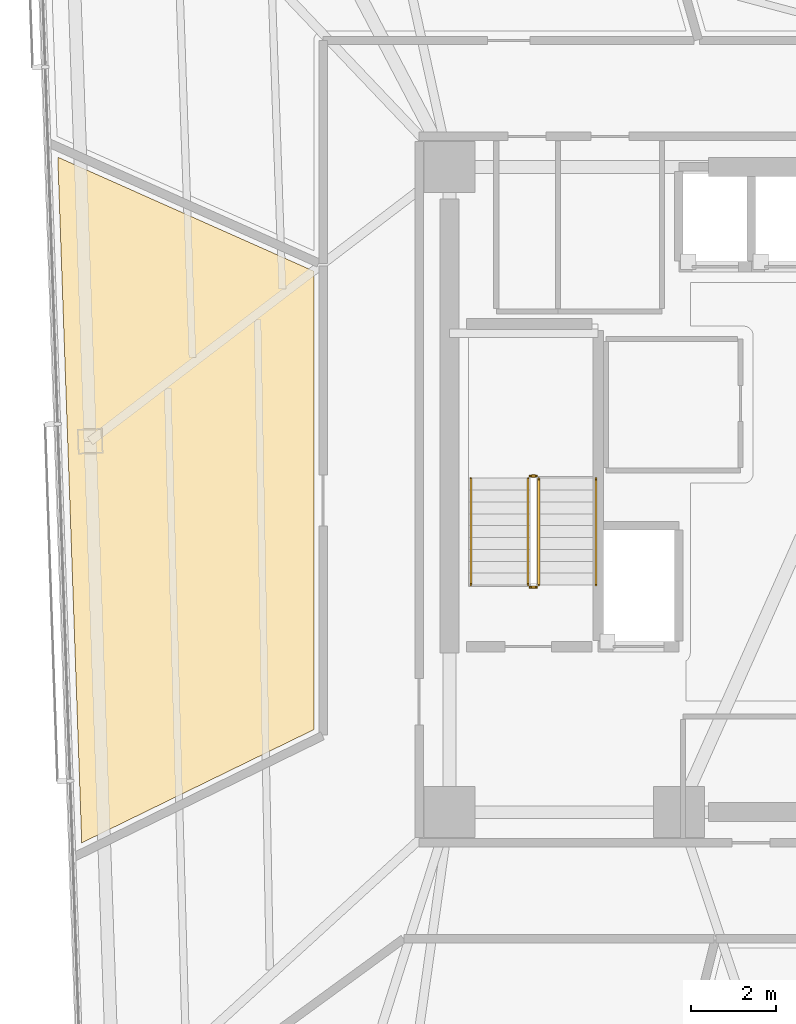
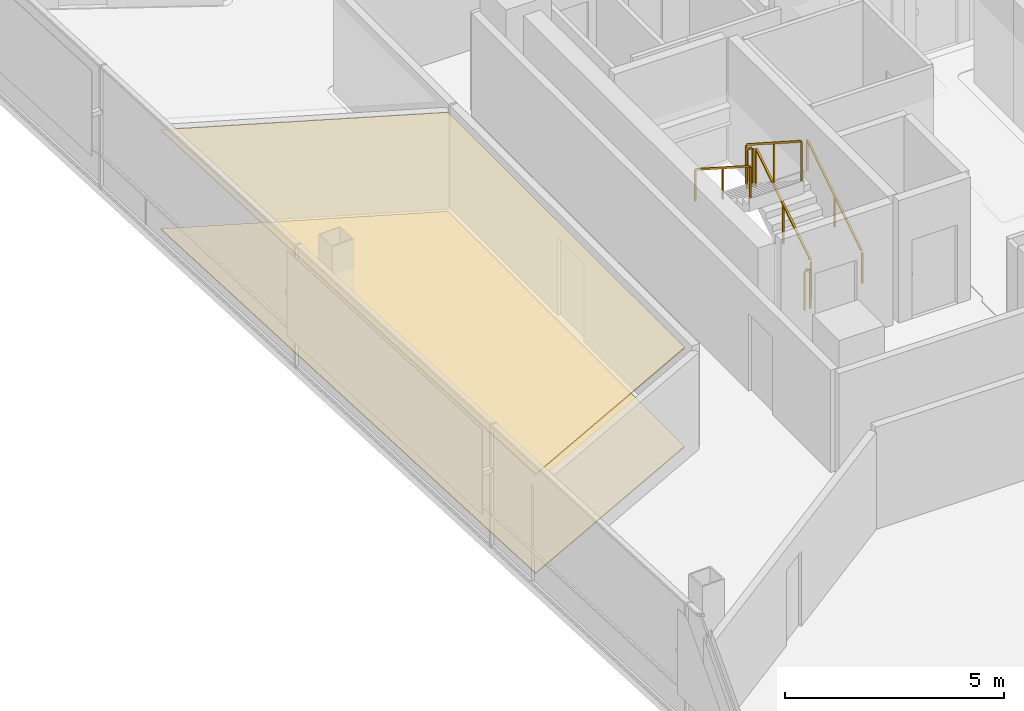
# One storey, part 18 of 21: 6 railings, 2 coverings.
"""IFC4 building model written with IfcOpenShell, lengths in metres."""

import ifcopenshell
import ifcopenshell.guid

model = None  # the IFC model being written
_history = None  # IfcOwnerHistory: only IFC2X3 demands one
_inside = {}  # id of a spatial element -> (the spatial element, [elements in it])
_under = {}  # id of a project, library or spatial element -> (it, [spatial elements below it])
_declared = {}  # id of a project -> (the project, [libraries it declares])
_typed = {}  # id of a type object -> (the type object, [elements of that type])
_made_of = {}  # id of a material, layer set ... -> (it, [elements and type objects made of it])


def new_model(schema):
    """Start an empty IFC model of exactly this schema.

    Asked for "IFC4X3", IfcOpenShell would pick the latest addendum, in which some entities
    have other attributes; the version numbers below select the first issue.
    IFC2X3 requires an IfcOwnerHistory on every rooted entity: one is made here for all.
    """
    global model, _history
    if schema == "IFC4X3":
        model = ifcopenshell.file(schema_version=(4, 3, 0, 0))
    else:
        model = ifcopenshell.file(schema=schema)
    _inside.clear()
    _under.clear()
    _declared.clear()
    _typed.clear()
    _made_of.clear()
    _history = None
    if model.schema == "IFC2X3":
        org = make("IfcOrganization", Name="unknown")
        user = make(
            "IfcPersonAndOrganization",
            ThePerson=make("IfcPerson", FamilyName="unknown"),
            TheOrganization=org,
        )
        app = make(
            "IfcApplication",
            ApplicationDeveloper=org,
            Version="unknown",
            ApplicationFullName="unknown",
            ApplicationIdentifier="unknown",
        )
        _history = make(
            "IfcOwnerHistory",
            OwningUser=user,
            OwningApplication=app,
            ChangeAction="ADDED",
            CreationDate=0,
        )
    return model


def make(cls, **values):
    """One entity of the class cls with the attributes given. An attribute that is None is left unset."""
    return model.create_entity(
        cls, **{name: value for name, value in values.items() if value is not None}
    )


def rooted(cls, **values):
    """An entity with a GlobalId (a new one), such as an element, a storey or a relation."""
    return make(cls, GlobalId=ifcopenshell.guid.new(), OwnerHistory=_history, **values)


def si_unit(unit_type, name, prefix=None):
    """IfcSIUnit, for example si_unit("LENGTHUNIT", "METRE", prefix="MILLI")."""
    return make("IfcSIUnit", UnitType=unit_type, Prefix=prefix, Name=name)


def assignment(units):
    """IfcUnitAssignment: the units of a project."""
    return None if units is None else make("IfcUnitAssignment", Units=units)


def point(xyz):
    """IfcCartesianPoint."""
    return None if xyz is None else make("IfcCartesianPoint", Coordinates=xyz)


def direction(xyz):
    """IfcDirection."""
    return None if xyz is None else make("IfcDirection", DirectionRatios=xyz)


def frame(location, z_axis=None, x_axis=None):
    """IfcAxis2Placement3D, a coordinate frame: its origin and axes. An axis left out is left unset."""
    return make(
        "IfcAxis2Placement3D",
        Location=point(location),
        Axis=direction(z_axis),
        RefDirection=direction(x_axis),
    )


def frame_2d(location, x_axis=None):
    """IfcAxis2Placement2D, a coordinate frame in the plane: its origin and x axis."""
    return make(
        "IfcAxis2Placement2D", Location=point(location), RefDirection=direction(x_axis)
    )


def origin():
    """The frame at (0, 0, 0) with its axes left unset."""
    return frame((0.0, 0.0, 0.0))


def origin_2d():
    """The frame at (0, 0) in the plane with its x axis left unset."""
    return frame_2d((0.0, 0.0))


def place(relative_to, where):
    """IfcLocalPlacement: puts the frame where relative to a parent placement (None: the world)."""
    return make(
        "IfcLocalPlacement", PlacementRelTo=relative_to, RelativePlacement=where
    )


def context(
    kind, dimensions, precision=None, world=None, true_north=None, identifier=None
):
    """IfcGeometricRepresentationContext, for example the 3D "Model" context."""
    return make(
        "IfcGeometricRepresentationContext",
        ContextIdentifier=identifier,
        ContextType=kind,
        CoordinateSpaceDimension=dimensions,
        Precision=precision,
        WorldCoordinateSystem=world,
        TrueNorth=true_north,
    )


def subcontext(parent, identifier, kind, view, scale=None):
    """IfcGeometricRepresentationSubContext, for example "Body" below "Model"."""
    return make(
        "IfcGeometricRepresentationSubContext",
        ContextIdentifier=identifier,
        ContextType=kind,
        ParentContext=parent,
        TargetScale=scale,
        TargetView=view,
    )


def project(units=None, contexts=None):
    """IfcProject with its units and contexts."""
    return rooted(
        "IfcProject",
        Name="project",
        RepresentationContexts=contexts,
        UnitsInContext=assignment(units),
    )


def spatial(cls, under=None, at=None, **own):
    """A site, building, storey or space (cls), placed at a placement, below another one or the project."""
    s = rooted(cls, ObjectPlacement=at, **own)
    if under is not None:
        _under.setdefault(under.id(), (under, []))[1].append(s)
    return s


def polyline(points):
    """IfcPolyline through the points."""
    return make("IfcPolyline", Points=[point(p) for p in points])


def profile(cls, at=None, kind="AREA", **sizes):
    """A parametric profile (cls). Its sizes go by their IFC names, for example OverallWidth=200.0."""
    return make(cls, ProfileType=kind, Position=at, **sizes)


def rectangle(**sizes):
    """IfcRectangleProfileDef."""
    return profile("IfcRectangleProfileDef", **sizes)


def outline(outer, holes=None, kind="AREA"):
    """IfcArbitraryClosedProfileDef: a profile drawn as a closed curve; with holes, ...WithVoids."""
    if holes is None:
        return make("IfcArbitraryClosedProfileDef", ProfileType=kind, OuterCurve=outer)
    return make(
        "IfcArbitraryProfileDefWithVoids",
        ProfileType=kind,
        OuterCurve=outer,
        InnerCurves=holes,
    )


def extrude(swept, where, along, depth):
    """IfcExtrudedAreaSolid: the profile swept, set in the frame where, extruded along a direction by depth."""
    return make(
        "IfcExtrudedAreaSolid",
        SweptArea=swept,
        Position=where,
        ExtrudedDirection=direction(along),
        Depth=depth,
    )


def shape(context_of_items, identifier, shape_type, items):
    """IfcShapeRepresentation: the items that make up one representation, for example the "Body"."""
    return make(
        "IfcShapeRepresentation",
        ContextOfItems=context_of_items,
        RepresentationIdentifier=identifier,
        RepresentationType=shape_type,
        Items=items,
    )


def material(Name=None, Category=None):
    """IfcMaterial."""
    return make("IfcMaterial", Name=Name, Category=Category)


def layer(
    of_material, thickness, ventilated=None, Name=None, Category=None, Priority=None
):
    """IfcMaterialLayer: one layer of a wall or slab, of a material (None: an air gap)."""
    return make(
        "IfcMaterialLayer",
        Material=of_material,
        LayerThickness=thickness,
        IsVentilated=ventilated,
        Name=Name,
        Category=Category,
        Priority=Priority,
    )


def layer_set(layers, Name=None):
    """IfcMaterialLayerSet."""
    return make("IfcMaterialLayerSet", MaterialLayers=layers, LayerSetName=Name)


def made_of(thing, what):
    """Note that an element or type object is made of a material, layer set ...; save() writes the relation."""
    if what is not None:
        _made_of.setdefault(what.id(), (what, []))[1].append(thing)
    return thing


def type_object(cls, material=None, **own):
    """A type object (cls), such as IfcWallType, which elements share."""
    return made_of(rooted(cls, **own), material)


def element(
    cls,
    number,
    at=None,
    inside=None,
    cuts=None,
    type_object=None,
    material=None,
    context=None,
    identifier="Body",
    shape_type=None,
    held_by="IfcProductDefinitionShape",
    body=None,
    shapes=None,
    **own,
):
    """One element of the class cls, such as IfcWall. Its Tag is "e" and its number.

    at: its placement. inside: the storey or other place that contains it. cuts: it is an
    opening in that element (IfcRelVoidsElement). A single representation is given by context,
    identifier, shape_type and body (its items); several are given by shapes. held_by: the class
    of the entity that holds the representations. save() writes the other relations.
    """
    e = rooted(cls, Tag="e%d" % number, ObjectPlacement=at, **own)
    if body is not None:
        shapes = [shape(context, identifier, shape_type, body)]
    if shapes is not None:
        e.Representation = make(held_by, Representations=shapes)
    if inside is not None:
        _inside.setdefault(inside.id(), (inside, []))[1].append(e)
    if cuts is not None:
        rooted(
            "IfcRelVoidsElement", RelatingBuildingElement=cuts, RelatedOpeningElement=e
        )
    if type_object is not None:
        _typed.setdefault(type_object.id(), (type_object, []))[1].append(e)
    return made_of(e, material)


def aggregate(whole, parts):
    """IfcRelAggregates: a whole, such as a stair, and the parts it consists of."""
    return rooted("IfcRelAggregates", RelatingObject=whole, RelatedObjects=parts)


def save(model, path):
    """Write the relations noted so far, then the file.

    IfcRelAggregates (storeys below a building ...), IfcRelContainedInSpatialStructure (elements
    in a storey), IfcRelDefinesByType, IfcRelAssociatesMaterial and IfcRelDeclares: one each for
    every whole, place, type object, material and project.
    """
    for whole, parts in _under.values():
        aggregate(whole, parts)
    for where, things in _inside.values():
        rooted(
            "IfcRelContainedInSpatialStructure",
            RelatedElements=things,
            RelatingStructure=where,
        )
    for kind, things in _typed.values():
        rooted("IfcRelDefinesByType", RelatedObjects=things, RelatingType=kind)
    for what, things in _made_of.values():
        rooted("IfcRelAssociatesMaterial", RelatedObjects=things, RelatingMaterial=what)
    for by, libraries in _declared.values():
        rooted("IfcRelDeclares", RelatingContext=by, RelatedDefinitions=libraries)
    model.write(path)


model = new_model("IFC4")

# Units and contexts
model_context = context("Model", 3, precision=1e-05, world=origin(), true_north=direction((0.0, 1.0)))
body_context = subcontext(model_context, "Body", "Model", "MODEL_VIEW")
ifc_project = project(units=[si_unit("LENGTHUNIT", "METRE"), si_unit("AREAUNIT", "SQUARE_METRE"), si_unit("VOLUMEUNIT", "CUBIC_METRE"), si_unit("PLANEANGLEUNIT", "RADIAN"), si_unit("MASSUNIT", "GRAM", prefix="KILO")], contexts=[model_context])

# Site, building, storey
site_placement = place(None, origin())
site = spatial("IfcSite", under=ifc_project, at=site_placement, CompositionType="ELEMENT")
building_placement = place(site_placement, origin())
building = spatial("IfcBuilding", under=site, at=building_placement, Name="Tharavind Bronze Gate", CompositionType="ELEMENT")
storey_placement = place(building_placement, frame((0.0, 0.0, 142.39990234375)))
storey = spatial("IfcBuildingStorey", under=building, at=storey_placement, Name="L36", CompositionType="ELEMENT", Elevation=142.39990234375)

# Coverings
ifc_material_1 = material(Name="Perforated Bronze Acoustic Panel", Category="bronze")
ifc_layer_1 = layer(ifc_material_1, 0.044921875)
ifc_layer_set_1 = layer_set([ifc_layer_1], Name="Perforated Bronze Acoustic Panel")
covering_type_1 = type_object("IfcCoveringType", Name="ACOUSTIC BRONZE BAFFLE CEILING", PredefinedType="CEILING", material=ifc_layer_set_1)
covering_1_placement = place(storey_placement, frame((0.0, 0.0, 2.75)))
element("IfcCovering", 1, at=covering_1_placement, inside=storey, type_object=covering_type_1, Name="L36-RM-03 suspended ceiling", PredefinedType="CEILING", context=body_context, shape_type="SweptSolid", body=[
    extrude(outline(polyline([(-17.567626953125, -8.323486328125), (-12.10009765625, -5.65673828125), (-12.10009765625, 5.146484375), (-18.1318359375, 7.83203125), (-17.567626953125, -8.323486328125)])), origin(), (0.0, 0.0, 1.0), 0.03515625),
])
ifc_material_2 = material(Name="Engineered Oak & Carpet Tile", Category="wood")
ifc_layer_2 = layer(ifc_material_2, 0.02490234375)
ifc_layer_set_2 = layer_set([ifc_layer_2], Name="Engineered Oak & Carpet Tile")
covering_type_2 = type_object("IfcCoveringType", Name="ENGINEERED TIMBER FLOORING", PredefinedType="FLOORING", material=ifc_layer_set_2)
covering_2_placement = place(storey_placement, origin())
element("IfcCovering", 2, at=covering_2_placement, inside=storey, type_object=covering_type_2, Name="L36-RM-03 floor finish", PredefinedType="FLOORING", context=body_context, shape_type="SweptSolid", body=[
    extrude(outline(polyline([(-17.567626953125, -8.323486328125), (-12.10009765625, -5.65673828125), (-12.10009765625, 5.146484375), (-18.1318359375, 7.83203125), (-17.567626953125, -8.323486328125)])), origin(), (0.0, 0.0, 1.0), 0.025146484375),
])

# Railings
ifc_material_3 = material(Name="Brushed Bronze Alloy", Category="metal")
railing_type_1 = type_object("IfcRailingType", Name="STAIR BRONZE HANDRAIL 900", PredefinedType="HANDRAIL", material=ifc_material_3)
railing_1_placement = place(storey_placement, frame((-5.449951171875, -2.25, 0.18017578125)))
element("IfcRailing", 3, at=railing_1_placement, inside=storey, type_object=railing_type_1, Name="L36 ST1 stair handrail 1", PredefinedType="HANDRAIL", context=body_context, shape_type="SweptSolid", body=[
    extrude(rectangle(XDim=0.048095703125, YDim=0.048095703125, at=origin_2d()), frame((0.0, 0.02685546875, 0.89306640625), z_axis=(0.0, 0.841199657755, 0.540724639528), x_axis=(-1.0, 0.0, 0.0)), (0.0, 0.0, 1.0), 2.931640625),
    extrude(rectangle(XDim=0.0400390625, YDim=0.0400390625, at=origin_2d()), origin(), (0.0, 0.0, 1.0), 0.847900390625),
    extrude(rectangle(XDim=0.0400390625, YDim=0.0400390625, at=origin_2d()), frame((0.0, 1.260009765625, 0.81005859375)), (0.0, 0.0, 1.0), 0.847900390625),
    extrude(rectangle(XDim=0.0400390625, YDim=0.0400390625, at=origin_2d()), frame((0.0, 2.52001953125, 1.619873046875)), (0.0, 0.0, 1.0), 0.847900390625),
])
railing_2_placement = place(storey_placement, frame((-8.39990234375, 0.27001953125, 1.97998046875)))
element("IfcRailing", 4, at=railing_2_placement, inside=storey, type_object=railing_type_1, Name="L36 ST1 stair handrail 2", PredefinedType="HANDRAIL", context=body_context, shape_type="SweptSolid", body=[
    extrude(rectangle(XDim=0.048095703125, YDim=0.048095703125, at=origin_2d()), frame((0.0, -0.02685546875, 0.89306640625), z_axis=(0.0, -0.841162588446, 0.540782303519), x_axis=(1.0, 0.0, 0.0)), (0.0, 0.0, 1.0), 2.931884765625),
    extrude(rectangle(XDim=0.0400390625, YDim=0.0400390625, at=origin_2d()), origin(), (0.0, 0.0, 1.0), 0.847900390625),
    extrude(rectangle(XDim=0.0400390625, YDim=0.0400390625, at=origin_2d()), frame((0.0, -1.260009765625, 0.81005859375)), (0.0, 0.0, 1.0), 0.847900390625),
    extrude(rectangle(XDim=0.0400390625, YDim=0.0400390625, at=origin_2d()), frame((0.0, -2.52001953125, 1.6201171875)), (0.0, 0.0, 1.0), 0.847900390625),
])
railing_type_2 = type_object("IfcRailingType", Name="STAIR WELL GUARD RAILING 1120", PredefinedType="GUARDRAIL", material=ifc_material_3)
railing_3_placement = place(storey_placement, frame((-6.800048828125, -2.25, 0.18017578125)))
element("IfcRailing", 5, at=railing_3_placement, inside=storey, type_object=railing_type_2, Name="L36 ST1 stair guard 1", PredefinedType="GUARDRAIL", context=body_context, shape_type="SweptSolid", body=[
    extrude(rectangle(XDim=0.048095703125, YDim=0.048095703125, at=origin_2d()), frame((0.0, 0.02685546875, 1.11328125), z_axis=(0.0, 0.841199657755, 0.540724639528), x_axis=(-1.0, 0.0, 0.0)), (0.0, 0.0, 1.0), 2.931640625),
    extrude(rectangle(XDim=0.0400390625, YDim=0.0400390625, at=origin_2d()), origin(), (0.0, 0.0, 1.0), 1.068115234375),
    extrude(rectangle(XDim=0.0400390625, YDim=0.0400390625, at=origin_2d()), frame((0.0, 1.260009765625, 0.81005859375)), (0.0, 0.0, 1.0), 1.068115234375),
    extrude(rectangle(XDim=0.0400390625, YDim=0.0400390625, at=origin_2d()), frame((0.0, 2.52001953125, 1.619873046875)), (0.0, 0.0, 1.0), 1.068115234375),
])
railing_4_placement = place(storey_placement, frame((-6.85009765625, 0.320068359375, 1.800048828125)))
element("IfcRailing", 6, at=railing_4_placement, inside=storey, type_object=railing_type_2, Name="L36 ST1 stair guard 2", PredefinedType="GUARDRAIL", context=body_context, shape_type="SweptSolid", body=[
    extrude(rectangle(XDim=0.048095703125, YDim=0.048095703125, at=origin_2d()), frame((-0.031982421875, 0.0, 1.09619140625), z_axis=(-1.0, 0.0, 0.0), x_axis=(0.0, -1.0, 0.0)), (0.0, 0.0, 1.0), 0.0859375),
    extrude(rectangle(XDim=0.0400390625, YDim=0.0400390625, at=origin_2d()), origin(), (0.0, 0.0, 1.0), 1.068115234375),
    extrude(rectangle(XDim=0.0400390625, YDim=0.0400390625, at=origin_2d()), frame((-0.14990234375, 0.0, 0.0)), (0.0, 0.0, 1.0), 1.068115234375),
])
railing_5_placement = place(storey_placement, frame((-7.050048828125, 0.27001953125, 1.97998046875)))
element("IfcRailing", 7, at=railing_5_placement, inside=storey, type_object=railing_type_2, Name="L36 ST1 stair guard 3", PredefinedType="GUARDRAIL", context=body_context, shape_type="SweptSolid", body=[
    extrude(rectangle(XDim=0.048095703125, YDim=0.048095703125, at=origin_2d()), frame((0.0, -0.02685546875, 1.11328125), z_axis=(0.0, -0.841162588446, 0.540782303519), x_axis=(1.0, 0.0, 0.0)), (0.0, 0.0, 1.0), 2.931884765625),
    extrude(rectangle(XDim=0.0400390625, YDim=0.0400390625, at=origin_2d()), origin(), (0.0, 0.0, 1.0), 1.068115234375),
    extrude(rectangle(XDim=0.0400390625, YDim=0.0400390625, at=origin_2d()), frame((0.0, -1.260009765625, 0.81005859375)), (0.0, 0.0, 1.0), 1.068115234375),
    extrude(rectangle(XDim=0.0400390625, YDim=0.0400390625, at=origin_2d()), frame((0.0, -2.52001953125, 1.6201171875)), (0.0, 0.0, 1.0), 1.068115234375),
])
railing_6_placement = place(storey_placement, frame((-6.85009765625, -2.300048828125, 0.0)))
element("IfcRailing", 8, at=railing_6_placement, inside=storey, type_object=railing_type_2, Name="L36 ST1 stair guard 4", PredefinedType="GUARDRAIL", context=body_context, shape_type="SweptSolid", body=[
    extrude(rectangle(XDim=0.048095703125, YDim=0.048095703125, at=origin_2d()), frame((-0.031982421875, 0.0, 1.09619140625), z_axis=(-1.0, 0.0, 0.0), x_axis=(0.0, -1.0, 0.0)), (0.0, 0.0, 1.0), 0.0859375),
    extrude(rectangle(XDim=0.0400390625, YDim=0.0400390625, at=origin_2d()), origin(), (0.0, 0.0, 1.0), 1.068115234375),
    extrude(rectangle(XDim=0.0400390625, YDim=0.0400390625, at=origin_2d()), frame((-0.14990234375, 0.0, 0.0)), (0.0, 0.0, 1.0), 1.068115234375),
])

save(model, "model.ifc")
